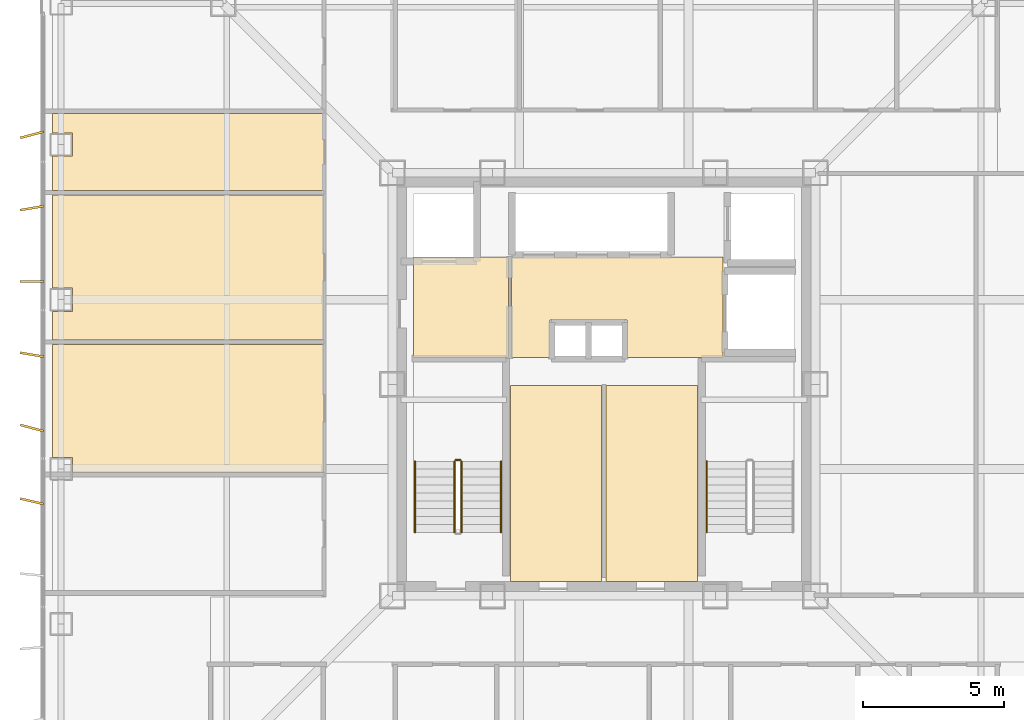
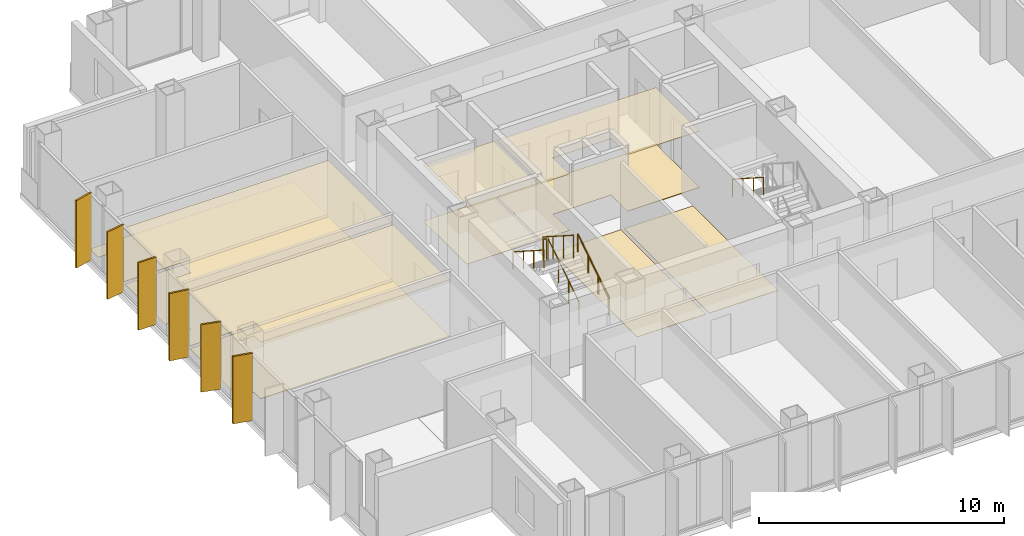
# One storey, part 15 of 18: 11 coverings, 6 railings, 6 shading devices.
"""IFC4 building model written with IfcOpenShell, lengths in metres."""

import ifcopenshell
import ifcopenshell.guid

model = None  # the IFC model being written
_history = None  # IfcOwnerHistory: only IFC2X3 demands one
_inside = {}  # id of a spatial element -> (the spatial element, [elements in it])
_under = {}  # id of a project, library or spatial element -> (it, [spatial elements below it])
_declared = {}  # id of a project -> (the project, [libraries it declares])
_typed = {}  # id of a type object -> (the type object, [elements of that type])
_made_of = {}  # id of a material, layer set ... -> (it, [elements and type objects made of it])


def new_model(schema):
    """Start an empty IFC model of exactly this schema.

    Asked for "IFC4X3", IfcOpenShell would pick the latest addendum, in which some entities
    have other attributes; the version numbers below select the first issue.
    IFC2X3 requires an IfcOwnerHistory on every rooted entity: one is made here for all.
    """
    global model, _history
    if schema == "IFC4X3":
        model = ifcopenshell.file(schema_version=(4, 3, 0, 0))
    else:
        model = ifcopenshell.file(schema=schema)
    _inside.clear()
    _under.clear()
    _declared.clear()
    _typed.clear()
    _made_of.clear()
    _history = None
    if model.schema == "IFC2X3":
        org = make("IfcOrganization", Name="unknown")
        user = make(
            "IfcPersonAndOrganization",
            ThePerson=make("IfcPerson", FamilyName="unknown"),
            TheOrganization=org,
        )
        app = make(
            "IfcApplication",
            ApplicationDeveloper=org,
            Version="unknown",
            ApplicationFullName="unknown",
            ApplicationIdentifier="unknown",
        )
        _history = make(
            "IfcOwnerHistory",
            OwningUser=user,
            OwningApplication=app,
            ChangeAction="ADDED",
            CreationDate=0,
        )
    return model


def make(cls, **values):
    """One entity of the class cls with the attributes given. An attribute that is None is left unset."""
    return model.create_entity(
        cls, **{name: value for name, value in values.items() if value is not None}
    )


def rooted(cls, **values):
    """An entity with a GlobalId (a new one), such as an element, a storey or a relation."""
    return make(cls, GlobalId=ifcopenshell.guid.new(), OwnerHistory=_history, **values)


def si_unit(unit_type, name, prefix=None):
    """IfcSIUnit, for example si_unit("LENGTHUNIT", "METRE", prefix="MILLI")."""
    return make("IfcSIUnit", UnitType=unit_type, Prefix=prefix, Name=name)


def assignment(units):
    """IfcUnitAssignment: the units of a project."""
    return None if units is None else make("IfcUnitAssignment", Units=units)


def point(xyz):
    """IfcCartesianPoint."""
    return None if xyz is None else make("IfcCartesianPoint", Coordinates=xyz)


def direction(xyz):
    """IfcDirection."""
    return None if xyz is None else make("IfcDirection", DirectionRatios=xyz)


def frame(location, z_axis=None, x_axis=None):
    """IfcAxis2Placement3D, a coordinate frame: its origin and axes. An axis left out is left unset."""
    return make(
        "IfcAxis2Placement3D",
        Location=point(location),
        Axis=direction(z_axis),
        RefDirection=direction(x_axis),
    )


def frame_2d(location, x_axis=None):
    """IfcAxis2Placement2D, a coordinate frame in the plane: its origin and x axis."""
    return make(
        "IfcAxis2Placement2D", Location=point(location), RefDirection=direction(x_axis)
    )


def origin():
    """The frame at (0, 0, 0) with its axes left unset."""
    return frame((0.0, 0.0, 0.0))


def origin_2d():
    """The frame at (0, 0) in the plane with its x axis left unset."""
    return frame_2d((0.0, 0.0))


def place(relative_to, where):
    """IfcLocalPlacement: puts the frame where relative to a parent placement (None: the world)."""
    return make(
        "IfcLocalPlacement", PlacementRelTo=relative_to, RelativePlacement=where
    )


def context(
    kind, dimensions, precision=None, world=None, true_north=None, identifier=None
):
    """IfcGeometricRepresentationContext, for example the 3D "Model" context."""
    return make(
        "IfcGeometricRepresentationContext",
        ContextIdentifier=identifier,
        ContextType=kind,
        CoordinateSpaceDimension=dimensions,
        Precision=precision,
        WorldCoordinateSystem=world,
        TrueNorth=true_north,
    )


def subcontext(parent, identifier, kind, view, scale=None):
    """IfcGeometricRepresentationSubContext, for example "Body" below "Model"."""
    return make(
        "IfcGeometricRepresentationSubContext",
        ContextIdentifier=identifier,
        ContextType=kind,
        ParentContext=parent,
        TargetScale=scale,
        TargetView=view,
    )


def project(units=None, contexts=None):
    """IfcProject with its units and contexts."""
    return rooted(
        "IfcProject",
        Name="project",
        RepresentationContexts=contexts,
        UnitsInContext=assignment(units),
    )


def spatial(cls, under=None, at=None, **own):
    """A site, building, storey or space (cls), placed at a placement, below another one or the project."""
    s = rooted(cls, ObjectPlacement=at, **own)
    if under is not None:
        _under.setdefault(under.id(), (under, []))[1].append(s)
    return s


def polyline(points):
    """IfcPolyline through the points."""
    return make("IfcPolyline", Points=[point(p) for p in points])


def profile(cls, at=None, kind="AREA", **sizes):
    """A parametric profile (cls). Its sizes go by their IFC names, for example OverallWidth=200.0."""
    return make(cls, ProfileType=kind, Position=at, **sizes)


def rectangle(**sizes):
    """IfcRectangleProfileDef."""
    return profile("IfcRectangleProfileDef", **sizes)


def circle(**sizes):
    """IfcCircleProfileDef."""
    return profile("IfcCircleProfileDef", **sizes)


def outline(outer, holes=None, kind="AREA"):
    """IfcArbitraryClosedProfileDef: a profile drawn as a closed curve; with holes, ...WithVoids."""
    if holes is None:
        return make("IfcArbitraryClosedProfileDef", ProfileType=kind, OuterCurve=outer)
    return make(
        "IfcArbitraryProfileDefWithVoids",
        ProfileType=kind,
        OuterCurve=outer,
        InnerCurves=holes,
    )


def extrude(swept, where, along, depth):
    """IfcExtrudedAreaSolid: the profile swept, set in the frame where, extruded along a direction by depth."""
    return make(
        "IfcExtrudedAreaSolid",
        SweptArea=swept,
        Position=where,
        ExtrudedDirection=direction(along),
        Depth=depth,
    )


def shape(context_of_items, identifier, shape_type, items):
    """IfcShapeRepresentation: the items that make up one representation, for example the "Body"."""
    return make(
        "IfcShapeRepresentation",
        ContextOfItems=context_of_items,
        RepresentationIdentifier=identifier,
        RepresentationType=shape_type,
        Items=items,
    )


def material(Name=None, Category=None):
    """IfcMaterial."""
    return make("IfcMaterial", Name=Name, Category=Category)


def layer(
    of_material, thickness, ventilated=None, Name=None, Category=None, Priority=None
):
    """IfcMaterialLayer: one layer of a wall or slab, of a material (None: an air gap)."""
    return make(
        "IfcMaterialLayer",
        Material=of_material,
        LayerThickness=thickness,
        IsVentilated=ventilated,
        Name=Name,
        Category=Category,
        Priority=Priority,
    )


def layer_set(layers, Name=None):
    """IfcMaterialLayerSet."""
    return make("IfcMaterialLayerSet", MaterialLayers=layers, LayerSetName=Name)


def made_of(thing, what):
    """Note that an element or type object is made of a material, layer set ...; save() writes the relation."""
    if what is not None:
        _made_of.setdefault(what.id(), (what, []))[1].append(thing)
    return thing


def type_object(cls, material=None, **own):
    """A type object (cls), such as IfcWallType, which elements share."""
    return made_of(rooted(cls, **own), material)


def element(
    cls,
    number,
    at=None,
    inside=None,
    cuts=None,
    type_object=None,
    material=None,
    context=None,
    identifier="Body",
    shape_type=None,
    held_by="IfcProductDefinitionShape",
    body=None,
    shapes=None,
    **own,
):
    """One element of the class cls, such as IfcWall. Its Tag is "e" and its number.

    at: its placement. inside: the storey or other place that contains it. cuts: it is an
    opening in that element (IfcRelVoidsElement). A single representation is given by context,
    identifier, shape_type and body (its items); several are given by shapes. held_by: the class
    of the entity that holds the representations. save() writes the other relations.
    """
    e = rooted(cls, Tag="e%d" % number, ObjectPlacement=at, **own)
    if body is not None:
        shapes = [shape(context, identifier, shape_type, body)]
    if shapes is not None:
        e.Representation = make(held_by, Representations=shapes)
    if inside is not None:
        _inside.setdefault(inside.id(), (inside, []))[1].append(e)
    if cuts is not None:
        rooted(
            "IfcRelVoidsElement", RelatingBuildingElement=cuts, RelatedOpeningElement=e
        )
    if type_object is not None:
        _typed.setdefault(type_object.id(), (type_object, []))[1].append(e)
    return made_of(e, material)


def aggregate(whole, parts):
    """IfcRelAggregates: a whole, such as a stair, and the parts it consists of."""
    return rooted("IfcRelAggregates", RelatingObject=whole, RelatedObjects=parts)


def save(model, path):
    """Write the relations noted so far, then the file.

    IfcRelAggregates (storeys below a building ...), IfcRelContainedInSpatialStructure (elements
    in a storey), IfcRelDefinesByType, IfcRelAssociatesMaterial and IfcRelDeclares: one each for
    every whole, place, type object, material and project.
    """
    for whole, parts in _under.values():
        aggregate(whole, parts)
    for where, things in _inside.values():
        rooted(
            "IfcRelContainedInSpatialStructure",
            RelatedElements=things,
            RelatingStructure=where,
        )
    for kind, things in _typed.values():
        rooted("IfcRelDefinesByType", RelatedObjects=things, RelatingType=kind)
    for what, things in _made_of.values():
        rooted("IfcRelAssociatesMaterial", RelatedObjects=things, RelatingMaterial=what)
    for by, libraries in _declared.values():
        rooted("IfcRelDeclares", RelatingContext=by, RelatedDefinitions=libraries)
    model.write(path)


model = new_model("IFC4")

# Units and contexts
model_context = context("Model", 3, precision=1e-05, world=origin(), true_north=direction((0.0, 1.0)))
body_context = subcontext(model_context, "Body", "Model", "MODEL_VIEW")
ifc_project = project(units=[si_unit("LENGTHUNIT", "METRE"), si_unit("AREAUNIT", "SQUARE_METRE"), si_unit("VOLUMEUNIT", "CUBIC_METRE"), si_unit("PLANEANGLEUNIT", "RADIAN"), si_unit("MASSUNIT", "GRAM", prefix="KILO")], contexts=[model_context])

# Site, building, storey
site_placement = place(None, origin())
site = spatial("IfcSite", under=ifc_project, at=site_placement, CompositionType="ELEMENT")
building_placement = place(site_placement, origin())
building = spatial("IfcBuilding", under=site, at=building_placement, Name="Trevonay Congress Spire", CompositionType="ELEMENT")
storey_placement = place(building_placement, frame((0.0, 0.0, 173.39990234375)))
storey = spatial("IfcBuildingStorey", under=building, at=storey_placement, Name="L44", CompositionType="ELEMENT", Elevation=173.39990234375)

# Coverings
ifc_material_1 = material(Name="Acoustic Mineral Fibre Board", Category="gypsum")
ifc_layer_1 = layer(ifc_material_1, 0.02490234375, Name="Acoustic Mineral Fibre Board")
ifc_layer_set_1 = layer_set([ifc_layer_1], Name="Acoustic Mineral Fibre Board")
covering_type_1 = type_object("IfcCoveringType", Name="COV-CEIL-ACOUSTIC", PredefinedType="CEILING", material=ifc_layer_set_1)
covering_1_placement = place(storey_placement, frame((0.0, 0.0, 2.81005859375)))
element("IfcCovering", 1, at=covering_1_placement, inside=storey, type_object=covering_type_1, Name="L44 Firefighting Lift Lobby West acoustic suspended ceiling", PredefinedType="CEILING", context=body_context, shape_type="SweptSolid", body=[
    extrude(outline(polyline([(-6.75, 0.9599609375), (-3.3798828125, 0.9599609375), (-3.3798828125, 4.52001953125), (-6.75, 4.52001953125), (-6.75, 0.9599609375)])), origin(), (0.0, 0.0, 1.0), 0.025146484375),
])
covering_2_placement = place(storey_placement, frame((0.0, 0.0, 2.81005859375)))
element("IfcCovering", 2, at=covering_2_placement, inside=storey, type_object=covering_type_1, Name="L44 Central and High-Rise Passenger Lift Lobby acoustic suspended ceiling", PredefinedType="CEILING", context=body_context, shape_type="SweptSolid", body=[
    extrude(outline(polyline([(-3.280029296875, 0.949951171875), (-1.919921875, 0.949951171875), (-1.919921875, 2.280029296875), (0.820068359375, 2.280029296875), (0.820068359375, 0.949951171875), (4.219970703125, 0.949951171875), (4.219970703125, 4.52001953125), (-3.280029296875, 4.52001953125), (-3.280029296875, 0.949951171875)])), origin(), (0.0, 0.0, 1.0), 0.025146484375),
])
covering_3_placement = place(storey_placement, frame((0.0, 0.0, 2.81005859375)))
element("IfcCovering", 3, at=covering_3_placement, inside=storey, type_object=covering_type_1, Name="L44 Claims Office 6 acoustic suspended ceiling", PredefinedType="CEILING", context=body_context, shape_type="SweptSolid", body=[
    extrude(outline(polyline([(-19.550048828125, 1.419921875), (-9.929931640625, 1.419921875), (-9.929931640625, -3.1201171875), (-18.840087890625, -3.1201171875), (-18.840087890625, -2.590087890625), (-19.550048828125, -2.590087890625), (-19.550048828125, 1.419921875)])), origin(), (0.0, 0.0, 1.0), 0.025146484375),
])
covering_4_placement = place(storey_placement, frame((0.0, 0.0, 2.81005859375)))
element("IfcCovering", 4, at=covering_4_placement, inside=storey, type_object=covering_type_1, Name="L44 Registry Office 7 acoustic suspended ceiling", PredefinedType="CEILING", context=body_context, shape_type="SweptSolid", body=[
    extrude(outline(polyline([(-19.550048828125, 6.719970703125), (-9.929931640625, 6.719970703125), (-9.929931640625, 1.580078125), (-19.550048828125, 1.580078125), (-19.550048828125, 2.590087890625), (-18.840087890625, 2.590087890625), (-18.840087890625, 3.409912109375), (-19.550048828125, 3.409912109375), (-19.550048828125, 6.719970703125)])), origin(), (0.0, 0.0, 1.0), 0.025146484375),
])
ifc_material_2 = material(Name="Polished Granite Floor Tile", Category="masonry")
ifc_layer_2 = layer(ifc_material_2, 0.02001953125, Name="Polished Granite Floor Tile")
ifc_layer_set_2 = layer_set([ifc_layer_2], Name="Polished Granite Floor Tile")
covering_type_2 = type_object("IfcCoveringType", Name="COV-FLOOR-STONE", PredefinedType="FLOORING", material=ifc_layer_set_2)
covering_5_placement = place(storey_placement, origin())
element("IfcCovering", 5, at=covering_5_placement, inside=storey, type_object=covering_type_2, Name="L44 Firefighting Lift Lobby West floor finish", PredefinedType="FLOORING", context=body_context, shape_type="SweptSolid", body=[
    extrude(outline(polyline([(-6.75, 0.9599609375), (-3.3798828125, 0.9599609375), (-3.3798828125, 4.52001953125), (-6.75, 4.52001953125), (-6.75, 0.9599609375)])), origin(), (0.0, 0.0, 1.0), 0.02001953125),
])
covering_6_placement = place(storey_placement, origin())
element("IfcCovering", 6, at=covering_6_placement, inside=storey, type_object=covering_type_2, Name="L44 Central and High-Rise Passenger Lift Lobby floor finish", PredefinedType="FLOORING", context=body_context, shape_type="SweptSolid", body=[
    extrude(outline(polyline([(-3.280029296875, 0.949951171875), (-1.919921875, 0.949951171875), (-1.919921875, 2.280029296875), (0.820068359375, 2.280029296875), (0.820068359375, 0.949951171875), (4.219970703125, 0.949951171875), (4.219970703125, 4.52001953125), (-3.280029296875, 4.52001953125), (-3.280029296875, 0.949951171875)])), origin(), (0.0, 0.0, 1.0), 0.02001953125),
])
covering_7_placement = place(storey_placement, origin())
element("IfcCovering", 7, at=covering_7_placement, inside=storey, type_object=covering_type_2, Name="L44 Core Server and IT Hub floor finish", PredefinedType="FLOORING", context=body_context, shape_type="SweptSolid", body=[
    extrude(outline(polyline([(-3.320068359375, -7.0), (-0.080078125, -7.0), (-0.080078125, -0.050048828125), (-3.320068359375, -0.050048828125), (-3.320068359375, -7.0)])), origin(), (0.0, 0.0, 1.0), 0.02001953125),
])
covering_8_placement = place(storey_placement, origin())
element("IfcCovering", 8, at=covering_8_placement, inside=storey, type_object=covering_type_2, Name="L44 Core Document Archive Room floor finish", PredefinedType="FLOORING", context=body_context, shape_type="SweptSolid", body=[
    extrude(outline(polyline([(0.080078125, -7.0), (3.320068359375, -7.0), (3.320068359375, -0.050048828125), (0.080078125, -0.050048828125), (0.080078125, -7.0)])), origin(), (0.0, 0.0, 1.0), 0.02001953125),
])
covering_9_placement = place(storey_placement, origin())
element("IfcCovering", 9, at=covering_9_placement, inside=storey, type_object=covering_type_2, Name="L44 Male Restroom WC floor finish", PredefinedType="FLOORING", context=body_context, shape_type="SweptSolid", body=[
    extrude(outline(polyline([(-19.550048828125, 9.60009765625), (-9.929931640625, 9.60009765625), (-9.929931640625, 6.8798828125), (-19.550048828125, 6.8798828125), (-19.550048828125, 8.090087890625), (-18.840087890625, 8.090087890625), (-18.840087890625, 8.909912109375), (-19.550048828125, 8.909912109375), (-19.550048828125, 9.60009765625)])), origin(), (0.0, 0.0, 1.0), 0.02001953125),
])
ifc_material_3 = material(Name="Engineered Oak Flooring", Category="wood")
ifc_layer_3 = layer(ifc_material_3, 0.01806640625, Name="Engineered Oak Flooring")
ifc_layer_set_3 = layer_set([ifc_layer_3], Name="Engineered Oak Flooring")
covering_type_3 = type_object("IfcCoveringType", Name="COV-FLOOR-TIMBER", PredefinedType="FLOORING", material=ifc_layer_set_3)
covering_10_placement = place(storey_placement, origin())
element("IfcCovering", 10, at=covering_10_placement, inside=storey, type_object=covering_type_3, Name="L44 Claims Office 6 floor finish", PredefinedType="FLOORING", context=body_context, shape_type="SweptSolid", body=[
    extrude(outline(polyline([(-19.550048828125, 1.419921875), (-9.929931640625, 1.419921875), (-9.929931640625, -3.1201171875), (-18.840087890625, -3.1201171875), (-18.840087890625, -2.590087890625), (-19.550048828125, -2.590087890625), (-19.550048828125, 1.419921875)])), origin(), (0.0, 0.0, 1.0), 0.01806640625),
])
covering_11_placement = place(storey_placement, origin())
element("IfcCovering", 11, at=covering_11_placement, inside=storey, type_object=covering_type_3, Name="L44 Registry Office 7 floor finish", PredefinedType="FLOORING", context=body_context, shape_type="SweptSolid", body=[
    extrude(outline(polyline([(-19.550048828125, 6.719970703125), (-9.929931640625, 6.719970703125), (-9.929931640625, 1.580078125), (-19.550048828125, 1.580078125), (-19.550048828125, 2.590087890625), (-18.840087890625, 2.590087890625), (-18.840087890625, 3.409912109375), (-19.550048828125, 3.409912109375), (-19.550048828125, 6.719970703125)])), origin(), (0.0, 0.0, 1.0), 0.01806640625),
])

# Railings
ifc_material_4 = material(Name="Pale Anodised Aluminium EN AW-6063-T6", Category="aluminium")
railing_type_1 = type_object("IfcRailingType", Name="RAL-STAIR-GUARD-110", PredefinedType="GUARDRAIL", material=ifc_material_4)
railing_1_placement = place(storey_placement, frame((-5.050048828125, -5.25, 0.18017578125)))
element("IfcRailing", 12, at=railing_1_placement, inside=storey, type_object=railing_type_1, Name="L44 ST-1 stair guard 1", PredefinedType="GUARDRAIL", context=body_context, shape_type="SweptSolid", body=[
    extrude(circle(Radius=0.02392578125, at=origin_2d()), frame((0.0, 0.0, 1.1259765625), z_axis=(0.0, 0.841199657755, 0.540724639528), x_axis=(-1.0, 0.0, 0.0)), (0.0, 0.0, 1.0), 2.995849609375),
    extrude(circle(Radius=0.02099609375, at=origin_2d()), origin(), (0.0, 0.0, 1.0), 1.101806640625),
    extrude(circle(Radius=0.02099609375, at=origin_2d()), frame((0.0, 0.840087890625, 0.5400390625)), (0.0, 0.0, 1.0), 1.101806640625),
    extrude(circle(Radius=0.02099609375, at=origin_2d()), frame((0.0, 1.679931640625, 1.079833984375)), (0.0, 0.0, 1.0), 1.101806640625),
    extrude(circle(Radius=0.02099609375, at=origin_2d()), frame((0.0, 2.52001953125, 1.619873046875)), (0.0, 0.0, 1.0), 1.101806640625),
])
railing_2_placement = place(storey_placement, frame((-5.10009765625, -2.679931640625, 1.800048828125)))
element("IfcRailing", 13, at=railing_2_placement, inside=storey, type_object=railing_type_1, Name="L44 ST-1 stair guard 2", PredefinedType="GUARDRAIL", context=body_context, shape_type="SweptSolid", body=[
    extrude(circle(Radius=0.02392578125, at=origin_2d()), frame((0.0, 0.0, 1.1259765625), z_axis=(-1.0, 0.0, 0.0), x_axis=(0.0, -1.0, 0.0)), (0.0, 0.0, 1.0), 0.14990234375),
    extrude(circle(Radius=0.02099609375, at=origin_2d()), origin(), (0.0, 0.0, 1.0), 1.101806640625),
    extrude(circle(Radius=0.02099609375, at=origin_2d()), frame((-0.14990234375, 0.0, 0.0)), (0.0, 0.0, 1.0), 1.101806640625),
])
railing_3_placement = place(storey_placement, frame((-5.300048828125, -2.72998046875, 1.97998046875)))
element("IfcRailing", 14, at=railing_3_placement, inside=storey, type_object=railing_type_1, Name="L44 ST-1 stair guard 3", PredefinedType="GUARDRAIL", context=body_context, shape_type="SweptSolid", body=[
    extrude(circle(Radius=0.02392578125, at=origin_2d()), frame((0.0, 0.0, 1.1259765625), z_axis=(0.0, -0.841162588446, 0.540782303519), x_axis=(1.0, 0.0, 0.0)), (0.0, 0.0, 1.0), 2.995849609375),
    extrude(circle(Radius=0.02099609375, at=origin_2d()), origin(), (0.0, 0.0, 1.0), 1.101806640625),
    extrude(circle(Radius=0.02099609375, at=origin_2d()), frame((0.0, -0.840087890625, 0.5400390625)), (0.0, 0.0, 1.0), 1.101806640625),
    extrude(circle(Radius=0.02099609375, at=origin_2d()), frame((0.0, -1.679931640625, 1.080078125)), (0.0, 0.0, 1.0), 1.101806640625),
    extrude(circle(Radius=0.02099609375, at=origin_2d()), frame((0.0, -2.52001953125, 1.6201171875)), (0.0, 0.0, 1.0), 1.101806640625),
])
railing_type_2 = type_object("IfcRailingType", Name="RAL-STAIR-HANDRAIL", PredefinedType="HANDRAIL", material=ifc_material_4)
railing_4_placement = place(storey_placement, frame((-3.64990234375, -5.25, 0.18017578125)))
element("IfcRailing", 15, at=railing_4_placement, inside=storey, type_object=railing_type_2, Name="L44 ST-1 stair handrail 1", PredefinedType="HANDRAIL", context=body_context, shape_type="SweptSolid", body=[
    extrude(circle(Radius=0.02392578125, at=origin_2d()), frame((0.0, 0.0, 0.8759765625), z_axis=(0.0, 0.841199657755, 0.540724639528), x_axis=(-1.0, 0.0, 0.0)), (0.0, 0.0, 1.0), 2.995849609375),
    extrude(circle(Radius=0.02099609375, at=origin_2d()), origin(), (0.0, 0.0, 1.0), 0.851806640625),
    extrude(circle(Radius=0.02099609375, at=origin_2d()), frame((0.0, 0.840087890625, 0.5400390625)), (0.0, 0.0, 1.0), 0.851806640625),
    extrude(circle(Radius=0.02099609375, at=origin_2d()), frame((0.0, 1.679931640625, 1.079833984375)), (0.0, 0.0, 1.0), 0.851806640625),
    extrude(circle(Radius=0.02099609375, at=origin_2d()), frame((0.0, 2.52001953125, 1.619873046875)), (0.0, 0.0, 1.0), 0.851806640625),
])
for number, where, name in (
    (16, (-6.699951171875, -2.72998046875, 1.97998046875), "L44 ST-1 stair handrail 2"),
    (17, (3.64990234375, -2.72998046875, 1.97998046875), "L44 ST-2 stair handrail 2"),
):
    element("IfcRailing", number, at=place(storey_placement, frame(where)), inside=storey, type_object=railing_type_2, Name=name, PredefinedType="HANDRAIL", context=body_context, shape_type="SweptSolid", body=[
        extrude(circle(Radius=0.02392578125, at=origin_2d()), frame((0.0, 0.0, 0.8759765625), z_axis=(0.0, -0.841162588446, 0.540782303519), x_axis=(1.0, 0.0, 0.0)), (0.0, 0.0, 1.0), 2.995849609375),
        extrude(circle(Radius=0.02099609375, at=origin_2d()), origin(), (0.0, 0.0, 1.0), 0.851806640625),
        extrude(circle(Radius=0.02099609375, at=origin_2d()), frame((0.0, -0.840087890625, 0.5400390625)), (0.0, 0.0, 1.0), 0.851806640625),
        extrude(circle(Radius=0.02099609375, at=origin_2d()), frame((0.0, -1.679931640625, 1.080078125)), (0.0, 0.0, 1.0), 0.851806640625),
        extrude(circle(Radius=0.02099609375, at=origin_2d()), frame((0.0, -2.52001953125, 1.6201171875)), (0.0, 0.0, 1.0), 0.851806640625),
    ])

# Shading devices
shading_device_type = type_object("IfcShadingDeviceType", Name="SHD-FIN-Z3-PALE-METAL", PredefinedType="USERDEFINED", material=ifc_material_4)
for number, where, z_axis, x_axis, name in (
    (18, (-20.280029296875, -4.14990234375, 0.0), (0.0, 0.0, 1.0), (0.224780991261, 0.97440931131, 0.0), "L44 W vertical pale-metal solar fin 4"),
    (19, (-20.280029296875, -1.550048828125, 0.0), (0.0, 0.0, 1.0), (0.2549394954, 0.966957007154, 0.0), "L44 W vertical pale-metal solar fin 5"),
    (20, (-20.280029296875, 1.050048828125, 0.0), (0.0, 0.0, 1.0), (0.16745706111, 0.98587937025, 0.0), "L44 W vertical pale-metal solar fin 6"),
    (21, (-20.280029296875, 3.64990234375, 0.0), (0.0, 0.0, 1.0), (0.0, 1.0, 0.0), "L44 W vertical pale-metal solar fin 7"),
    (22, (-20.280029296875, 6.25, 0.0), (0.0, 0.0, 1.0), (-0.16745706111, 0.98587937025, 0.0), "L44 W vertical pale-metal solar fin 8"),
    (23, (-20.280029296875, 8.85009765625, 0.0), (0.0, 0.0, 1.0), (-0.2549394954, 0.966957007154, 0.0), "L44 W vertical pale-metal solar fin 9"),
):
    element("IfcShadingDevice", number, at=place(storey_placement, frame(where, z_axis=z_axis, x_axis=x_axis)), inside=storey, type_object=shading_device_type, Name=name, ObjectType="SOLAR FIN", PredefinedType="USERDEFINED", context=body_context, shape_type="SweptSolid", body=[
        extrude(rectangle(XDim=0.080078125, YDim=0.85009765625, at=origin_2d()), origin(), (0.0, 0.0, 1.0), 3.360107421875),
    ])

save(model, "model.ifc")
